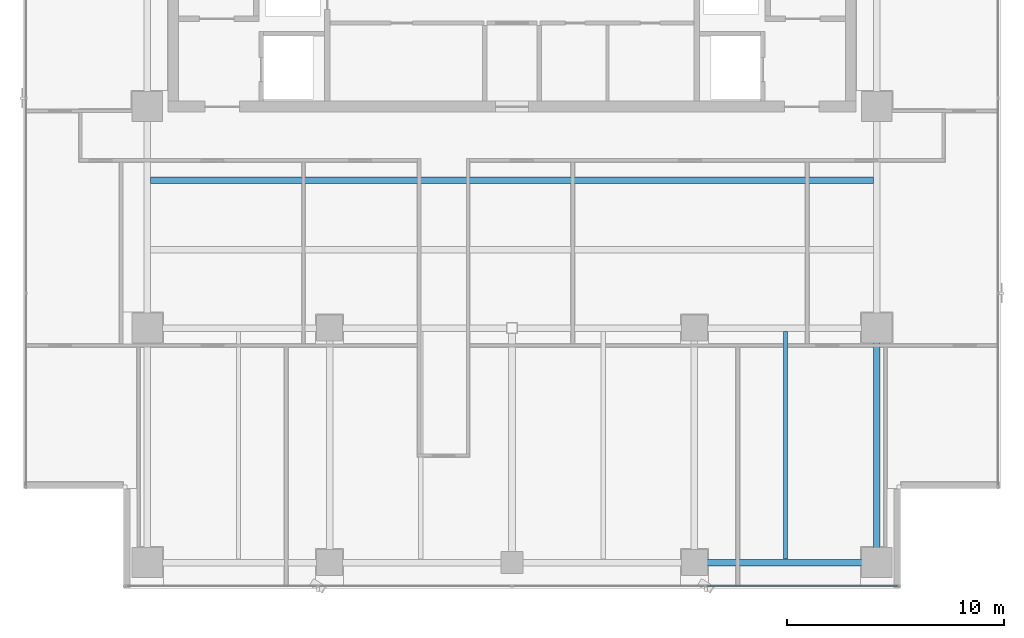
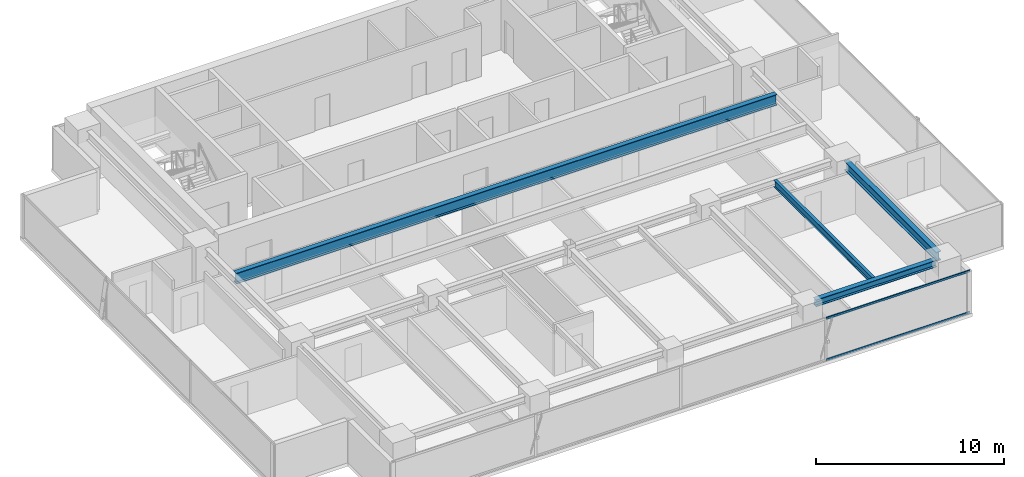
# One storey, part 10 of 26: 4 beams, 2 members, 1 element without a shape of its own.
"""IFC4 building model written with IfcOpenShell, lengths in metres."""

from ifc_helpers import new_model, si_unit, direction, frame, origin, origin_2d, place, context, subcontext, project, spatial, hollow_rectangle, i_section, extrude, source, transform, mapped, material, layer, layer_set, material_profile, profile_set, type_object, element, aggregate, save


model = new_model("IFC4")

# Units and contexts
model_context = context("Model", 3, precision=1e-05, world=origin(), true_north=direction((0.0, 1.0)))
body_context = subcontext(model_context, "Body", "Model", "MODEL_VIEW")
ifc_project = project(units=[si_unit("LENGTHUNIT", "METRE"), si_unit("AREAUNIT", "SQUARE_METRE"), si_unit("VOLUMEUNIT", "CUBIC_METRE"), si_unit("PLANEANGLEUNIT", "RADIAN"), si_unit("MASSUNIT", "GRAM", prefix="KILO")], contexts=[model_context])

# Site, building, storey
site_placement = place(None, origin())
site = spatial("IfcSite", under=ifc_project, at=site_placement, CompositionType="ELEMENT")
building_placement = place(site_placement, origin())
building = spatial("IfcBuilding", under=site, at=building_placement, Name="Sumidabori Civic Tower", CompositionType="ELEMENT")
storey_placement = place(building_placement, frame((0.0, 0.0, 250.39990234375)))
storey = spatial("IfcBuildingStorey", under=building, at=storey_placement, Name="L65", CompositionType="ELEMENT", Elevation=250.39990234375)

# Beams
ifc_material_1 = material(Name="Steel SN490", Category="steel")
ifc_material_profile_1 = material_profile(ifc_material_1, i_section(OverallWidth=0.300048828125, OverallDepth=0.60009765625, WebThickness=0.015380859375, FlangeThickness=0.030029296875, at=origin_2d()), Name="HE 600 B")
ifc_profile_set_1 = profile_set([ifc_material_profile_1], Name="Steel SN490")
beam_type_1 = type_object("IfcBeamType", Name="BM-GIRD-600", PredefinedType="BEAM", material=ifc_profile_set_1)
shared_shape_1 = source(origin(), body_context, "Body", "SweptSolid", [
    extrude(i_section(OverallWidth=0.300048828125, OverallDepth=0.60009765625, WebThickness=0.015380859375, FlangeThickness=0.030029296875, at=origin_2d()), origin(), (0.0, 0.0, 1.0), 9.840087890625),
])
beam_1_placement = place(storey_placement, frame((16.800048828125, -10.320068359375, 3.070068359375), z_axis=(0.0, 1.0, 0.0), x_axis=(-1.0, 0.0, 0.0)))
element("IfcBeam", 1, at=beam_1_placement, inside=storey, type_object=beam_type_1, Name="Primary Girder L65 GY-15", PredefinedType="BEAM", context=body_context, shape_type="MappedRepresentation", body=[
    mapped(shared_shape_1, transform((0.0, 0.0, 0.0), x_axis=(1.0, 0.0, 0.0), y_axis=(0.0, 1.0, 0.0), z_axis=(0.0, 0.0, 1.0), scale=1.0)),
])
ifc_material_profile_2 = material_profile(ifc_material_1, i_section(OverallWidth=0.300048828125, OverallDepth=0.699951171875, WebThickness=0.01708984375, FlangeThickness=0.031982421875, at=origin_2d()), Name="HE 700 B")
ifc_profile_set_2 = profile_set([ifc_material_profile_2], Name="Steel SN490")
beam_type_2 = type_object("IfcBeamType", Name="BM-GIRD-700", PredefinedType="BEAM", material=ifc_profile_set_2)
shared_shape_2 = source(origin(), body_context, "Body", "SweptSolid", [
    extrude(i_section(OverallWidth=0.300048828125, OverallDepth=0.699951171875, WebThickness=0.01708984375, FlangeThickness=0.031982421875, at=origin_2d()), origin(), (0.0, 0.0, 1.0), 33.2998046875),
])
beam_2_placement = place(storey_placement, frame((-16.64990234375, 6.800048828125, 3.02001953125), z_axis=(1.0, 0.0, 0.0), x_axis=(0.0, 1.0, 0.0)))
element("IfcBeam", 2, at=beam_2_placement, inside=storey, type_object=beam_type_2, Name="North Bay Floor Beam L65 JSTN-19", PredefinedType="BEAM", context=body_context, shape_type="MappedRepresentation", body=[
    mapped(shared_shape_2, transform((0.0, 0.0, 0.0), x_axis=(1.0, 0.0, 0.0), y_axis=(0.0, 1.0, 0.0), z_axis=(0.0, 0.0, 1.0), scale=1.0)),
])
ifc_material_profile_3 = material_profile(ifc_material_1, i_section(OverallWidth=0.300048828125, OverallDepth=0.449951171875, WebThickness=0.013916015625, FlangeThickness=0.02587890625, at=origin_2d()), Name="HE 450 B")
ifc_profile_set_3 = profile_set([ifc_material_profile_3], Name="Steel SN490")
beam_type_3 = type_object("IfcBeamType", Name="BM-GIRD-450", PredefinedType="BEAM", material=ifc_profile_set_3)
shared_shape_3 = source(origin(), body_context, "Body", "SweptSolid", [
    extrude(i_section(OverallWidth=0.300048828125, OverallDepth=0.449951171875, WebThickness=0.013916015625, FlangeThickness=0.02587890625, at=origin_2d()), origin(), (0.0, 0.0, 1.0), 7.440185546875),
])
beam_3_placement = place(storey_placement, frame((8.8798828125, -10.800048828125, 3.14501953125), z_axis=(1.0, 0.0, 0.0), x_axis=(0.0, 1.0, 0.0)))
element("IfcBeam", 3, at=beam_3_placement, inside=storey, type_object=beam_type_3, Name="Primary Girder L65 GX-04", PredefinedType="BEAM", context=body_context, shape_type="MappedRepresentation", body=[
    mapped(shared_shape_3, transform((0.0, 0.0, 0.0), x_axis=(1.0, 0.0, 0.0), y_axis=(0.0, 1.0, 0.0), z_axis=(0.0, 0.0, 1.0), scale=1.0)),
])
ifc_material_profile_4 = material_profile(ifc_material_1, i_section(OverallWidth=0.18994140625, OverallDepth=0.449951171875, WebThickness=0.009521484375, FlangeThickness=0.0146484375, at=origin_2d()), Name="IPE 450")
ifc_profile_set_4 = profile_set([ifc_material_profile_4], Name="Steel SN490")
beam_type_4 = type_object("IfcBeamType", Name="BM-JST-450", PredefinedType="JOIST", material=ifc_profile_set_4)
shared_shape_4 = source(origin(), body_context, "Body", "SweptSolid", [
    extrude(i_section(OverallWidth=0.18994140625, OverallDepth=0.449951171875, WebThickness=0.009521484375, FlangeThickness=0.0146484375, at=origin_2d()), origin(), (0.0, 0.0, 1.0), 10.5),
])
beam_4_placement = place(storey_placement, frame((12.60009765625, -10.64990234375, 3.14501953125), z_axis=(0.0, 1.0, 0.0), x_axis=(-1.0, 0.0, 0.0)))
element("IfcBeam", 4, at=beam_4_placement, inside=storey, type_object=beam_type_4, Name="Upper Lens N-S Floor Joist L65 JSTV-23", PredefinedType="JOIST", context=body_context, shape_type="MappedRepresentation", body=[
    mapped(shared_shape_4, transform((0.0, 0.0, 0.0), x_axis=(1.0, 0.0, 0.0), y_axis=(0.0, 1.0, 0.0), z_axis=(0.0, 0.0, 1.0), scale=1.0)),
])

# Curtain wall, members
ifc_material_2 = material(Name="Anodised Bronze Aluminium AW-6063-T6", Category="aluminium")
ifc_layer = layer(ifc_material_2, 0.179931640625, Name="Anodised Bronze Aluminium AW-6063-T6")
ifc_layer_set = layer_set([ifc_layer], Name="Anodised Bronze Aluminium AW-6063-T6")
curtain_wall_type = type_object("IfcCurtainWallType", Name="CW-SYS-5", PredefinedType="NOTDEFINED", material=ifc_layer_set)
curtain_wall_placement = place(storey_placement, origin())
curtain_wall = element("IfcCurtainWall", 5, at=curtain_wall_placement, inside=storey, type_object=curtain_wall_type, Name="Curtain Wall CW:L65:R01", PredefinedType="NOTDEFINED")
ifc_material_profile_5 = material_profile(ifc_material_2, hollow_rectangle(XDim=0.06005859375, YDim=0.1298828125, WallThickness=0.0048828125, at=origin_2d()), Name="ALU TRANSOM 130x60")
ifc_profile_set_5 = profile_set([ifc_material_profile_5], Name="Anodised Bronze Aluminium AW-6063-T6")
member_type = type_object("IfcMemberType", Name="CW-TRN-130", PredefinedType="USERDEFINED", material=ifc_profile_set_5)
shared_shape_5 = source(origin(), body_context, "Body", "SweptSolid", [
    extrude(hollow_rectangle(XDim=0.06005859375, YDim=0.1298828125, WallThickness=0.0048828125, at=origin_2d()), origin(), (0.0, 0.0, 1.0), 8.844970703125),
])
member_1_placement = place(storey_placement, frame((8.965087890625, -11.8798828125, 0.030029296875), z_axis=(1.0, 0.0, 0.0), x_axis=(0.0, 1.0, 0.0)))
member_1 = element("IfcMember", 6, at=member_1_placement, type_object=member_type, Name="CW-5 transom 4.1", ObjectType="TRANSOM", PredefinedType="USERDEFINED", context=body_context, shape_type="MappedRepresentation", body=[
    mapped(shared_shape_5, transform((0.0, 0.0, 0.0), x_axis=(1.0, 0.0, 0.0), y_axis=(0.0, 1.0, 0.0), z_axis=(0.0, 0.0, 1.0), scale=1.0)),
])
member_2_placement = place(storey_placement, frame((8.965087890625, -11.8798828125, 2.72021484375), z_axis=(1.0, 0.0, 0.0), x_axis=(0.0, 1.0, 0.0)))
member_2 = element("IfcMember", 7, at=member_2_placement, type_object=member_type, Name="CW-5 transom 4.2", ObjectType="TRANSOM", PredefinedType="USERDEFINED", context=body_context, shape_type="MappedRepresentation", body=[
    mapped(shared_shape_5, transform((0.0, 0.0, 0.0), x_axis=(1.0, 0.0, 0.0), y_axis=(0.0, 1.0, 0.0), z_axis=(0.0, 0.0, 1.0), scale=1.0)),
])
aggregate(curtain_wall, [member_1, member_2])

save(model, "model.ifc")
